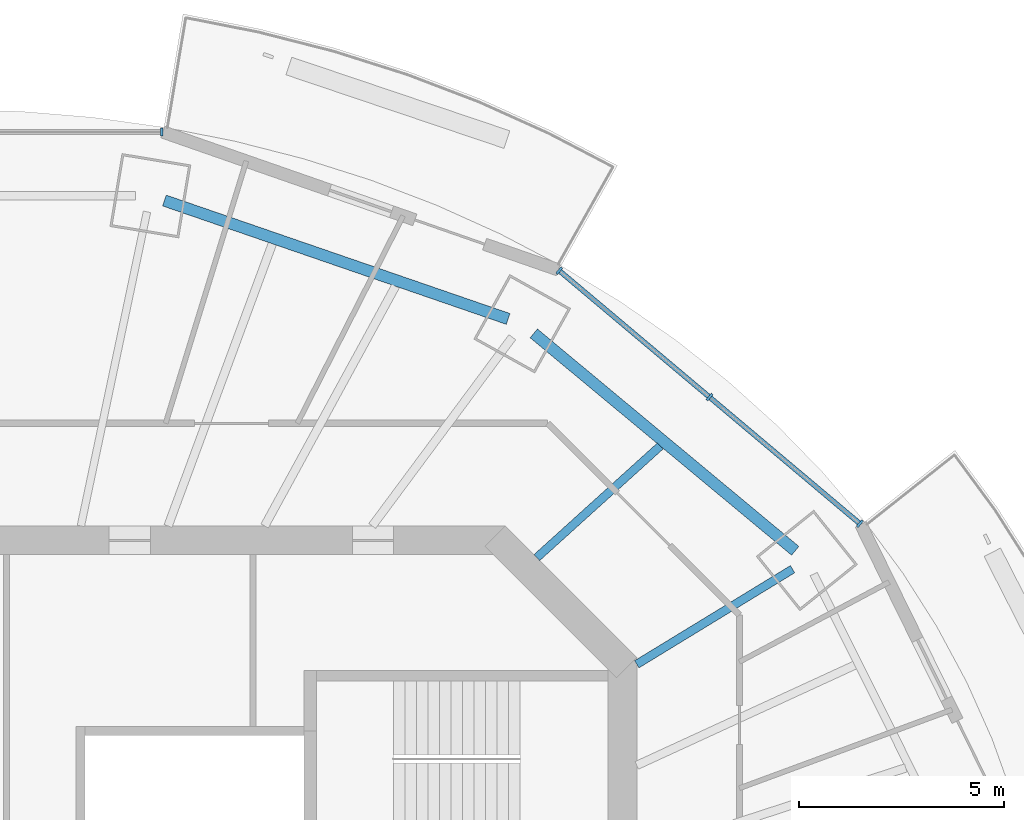
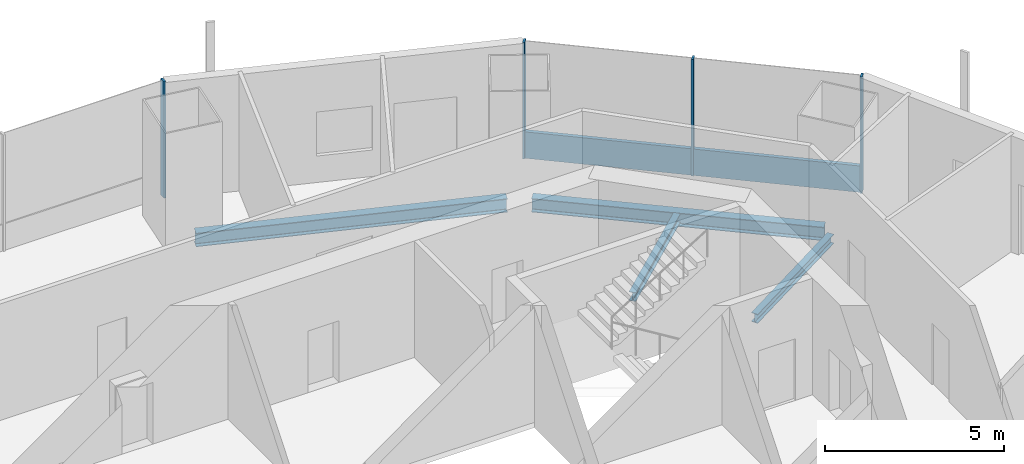
# One storey, part 6 of 16: 5 members, 4 beams, 2 elements without a shape of their own.
"""IFC4 building model written with IfcOpenShell, lengths in metres."""

from ifc_helpers import new_model, si_unit, direction, frame, origin, origin_2d, place, context, subcontext, project, spatial, rectangle, i_section, extrude, material, material_profile, profile_set, type_object, element, aggregate, save


model = new_model("IFC4")

# Units and contexts
model_context = context("Model", 3, precision=1e-05, world=origin(), true_north=direction((0.0, 1.0)))
body_context = subcontext(model_context, "Body", "Model", "MODEL_VIEW")
ifc_project = project(units=[si_unit("LENGTHUNIT", "METRE"), si_unit("AREAUNIT", "SQUARE_METRE"), si_unit("VOLUMEUNIT", "CUBIC_METRE"), si_unit("PLANEANGLEUNIT", "RADIAN"), si_unit("MASSUNIT", "GRAM", prefix="KILO")], contexts=[model_context])

# Site, building, storey
site_placement = place(None, origin())
site = spatial("IfcSite", under=ifc_project, at=site_placement, CompositionType="ELEMENT")
building_placement = place(site_placement, origin())
building = spatial("IfcBuilding", under=site, at=building_placement, Name="Marenthal Gate Tower", CompositionType="ELEMENT")
storey_placement = place(building_placement, frame((0.0, 0.0, 355.050048828125)))
storey = spatial("IfcBuildingStorey", under=building, at=storey_placement, Name="L80", CompositionType="ELEMENT", Elevation=355.050048828125)

# Curtain wall, members
ifc_material_1 = material(Name="Aluminium and glass", Category="aluminium")
curtain_wall_type = type_object("IfcCurtainWallType", Name="Curtain wall typical high", PredefinedType="NOTDEFINED", material=ifc_material_1)
curtain_wall_1_placement = place(storey_placement, origin())
curtain_wall_1 = element("IfcCurtainWall", 1, at=curtain_wall_1_placement, inside=storey, type_object=curtain_wall_type, Name="Curtain wall L80 bay 2", PredefinedType="NOTDEFINED")
ifc_material_2 = material(Name="Aluminium", Category="aluminium")
ifc_material_profile_1 = material_profile(ifc_material_2, rectangle(XDim=0.199951171875, YDim=0.06005859375, at=origin_2d()), Name="60x200 aluminium mullion")
ifc_profile_set_1 = profile_set([ifc_material_profile_1], Name="Aluminium")
member_type_1 = type_object("IfcMemberType", Name="Mullion 60x200 typical high", PredefinedType="MULLION", material=ifc_profile_set_1)
member_1_placement = place(storey_placement, frame((21.783203125, 13.40625, 0.0), z_axis=(0.0, 0.0, 1.0), x_axis=(-0.643895579249, -0.765113379195, 0.0)))
member_1 = element("IfcMember", 2, at=member_1_placement, type_object=member_type_1, Name="Mullion L80 bay 2.1", PredefinedType="MULLION", context=body_context, shape_type="SweptSolid", body=[
    extrude(rectangle(XDim=0.199951171875, YDim=0.06005859375, at=origin_2d()), origin(), (0.0, 0.0, 1.0), 3.969970703125),
])
member_2_placement = place(storey_placement, frame((18.121826171875, 16.487548828125, 0.0), z_axis=(0.0, 0.0, 1.0), x_axis=(-0.643895579249, -0.765113379195, 0.0)))
member_2 = element("IfcMember", 3, at=member_2_placement, type_object=member_type_1, Name="Mullion L80 bay 2.2", PredefinedType="MULLION", context=body_context, shape_type="SweptSolid", body=[
    extrude(rectangle(XDim=0.199951171875, YDim=0.06005859375, at=origin_2d()), origin(), (0.0, 0.0, 1.0), 3.969970703125),
])
member_3_placement = place(storey_placement, frame((14.46044921875, 19.56884765625, 0.0), z_axis=(0.0, 0.0, 1.0), x_axis=(-0.643895579249, -0.765113379195, 0.0)))
member_3 = element("IfcMember", 4, at=member_3_placement, type_object=member_type_1, Name="Mullion L80 bay 2.3", PredefinedType="MULLION", context=body_context, shape_type="SweptSolid", body=[
    extrude(rectangle(XDim=0.199951171875, YDim=0.06005859375, at=origin_2d()), origin(), (0.0, 0.0, 1.0), 3.969970703125),
])

# Curtain wall, member
curtain_wall_2_placement = place(storey_placement, origin())
curtain_wall_2 = element("IfcCurtainWall", 5, at=curtain_wall_2_placement, inside=storey, type_object=curtain_wall_type, Name="Curtain wall L80 bay 4", PredefinedType="NOTDEFINED")
member_4_placement = place(storey_placement, frame((4.7802734375, 22.944091796875, 0.0), z_axis=(0.0, 0.0, 1.0), x_axis=(0.0, -1.0, 0.0)))
member_4 = element("IfcMember", 6, at=member_4_placement, type_object=member_type_1, Name="Mullion L80 bay 4.1", PredefinedType="MULLION", context=body_context, shape_type="SweptSolid", body=[
    extrude(rectangle(XDim=0.199951171875, YDim=0.06005859375, at=origin_2d()), origin(), (0.0, 0.0, 1.0), 3.969970703125),
])
aggregate(curtain_wall_2, [member_4])

# Member
ifc_material_3 = material(Name="Aluminium", Category="aluminium")
ifc_material_profile_2 = material_profile(ifc_material_3, rectangle(XDim=0.1201171875, YDim=0.89990234375, at=origin_2d()), Name="120x900 aluminium transom")
ifc_profile_set_2 = profile_set([ifc_material_profile_2], Name="Aluminium")
member_type_2 = type_object("IfcMemberType", Name="Transom 120x900 typical high", PredefinedType="USERDEFINED", material=ifc_profile_set_2)
member_5_placement = place(storey_placement, frame((21.76025390625, 13.425537109375, 0.449951171875), z_axis=(-0.765110860749, 0.643898571798, 0.0), x_axis=(-0.643898571798, -0.765110860749, 0.0)))
member_5 = element("IfcMember", 7, at=member_5_placement, type_object=member_type_2, Name="Transom L80 bay 2", ObjectType="TRANSOM", PredefinedType="USERDEFINED", context=body_context, shape_type="SweptSolid", body=[
    extrude(rectangle(XDim=0.1201171875, YDim=0.89990234375, at=origin_2d()), origin(), (0.0, 0.0, 1.0), 9.5107421875),
])

aggregate(curtain_wall_1, [member_1, member_2, member_3, member_5])

# Beams
ifc_material_4 = material(Name="Steel S355", Category="steel")
ifc_material_profile_3 = material_profile(ifc_material_4, i_section(OverallWidth=0.202880859375, OverallDepth=0.302001953125, WebThickness=0.007568359375, FlangeThickness=0.01318359375, FilletRadius=0.0126953125, at=origin_2d()), Name="W310X60")
ifc_profile_set_3 = profile_set([ifc_material_profile_3], Name="Steel S355")
beam_type_1 = type_object("IfcBeamType", Name="W310X60 beam", PredefinedType="BEAM", material=ifc_profile_set_3)
beam_1_placement = place(storey_placement, frame((16.92138671875, 15.29736328125, -0.3310546875), z_axis=(-0.74178549283, -0.670637221326, 0.0), x_axis=(0.670637221326, -0.74178549283, 0.0)))
element("IfcBeam", 8, at=beam_1_placement, inside=storey, type_object=beam_type_1, Name="BM-L80-19", PredefinedType="BEAM", context=body_context, shape_type="SweptSolid", body=[
    extrude(i_section(OverallWidth=0.202880859375, OverallDepth=0.302001953125, WebThickness=0.007568359375, FlangeThickness=0.01318359375, FilletRadius=0.0126953125, at=origin_2d()), origin(), (0.0, 0.0, 1.0), 4.052490234375),
])
ifc_material_5 = material(Name="Steel S355", Category="steel")
ifc_material_profile_4 = material_profile(ifc_material_5, i_section(OverallWidth=0.205078125, OverallDepth=0.31005859375, WebThickness=0.009521484375, FlangeThickness=0.016357421875, FilletRadius=0.0126953125, at=origin_2d()), Name="W310X74")
ifc_profile_set_4 = profile_set([ifc_material_profile_4], Name="Steel S355")
beam_type_2 = type_object("IfcBeamType", Name="W310X74 beam", PredefinedType="BEAM", material=ifc_profile_set_4)
beam_2_placement = place(storey_placement, frame((20.14453125, 12.296875, -0.3349609375), z_axis=(-0.853547801009, -0.521014540482, 0.0), x_axis=(0.521014540482, -0.853547801009, 0.0)))
element("IfcBeam", 9, at=beam_2_placement, inside=storey, type_object=beam_type_2, Name="BM-L80-02", PredefinedType="BEAM", context=body_context, shape_type="SweptSolid", body=[
    extrude(i_section(OverallWidth=0.205078125, OverallDepth=0.31005859375, WebThickness=0.009521484375, FlangeThickness=0.016357421875, FilletRadius=0.0126953125, at=origin_2d()), origin(), (0.0, 0.0, 1.0), 4.445556640625),
])
ifc_material_6 = material(Name="Steel S355", Category="steel")
ifc_material_profile_5 = material_profile(ifc_material_6, i_section(OverallWidth=0.279052734375, OverallDepth=0.4619140625, WebThickness=0.0107421875, FlangeThickness=0.017333984375, FilletRadius=0.010009765625, at=origin_2d()), Name="W460X113")
ifc_profile_set_5 = profile_set([ifc_material_profile_5], Name="Steel S355")
beam_type_3 = type_object("IfcBeamType", Name="W460X113 beam", PredefinedType="BEAM", material=ifc_profile_set_5)
beam_3_placement = place(storey_placement, frame((20.209716796875, 12.744140625, -0.4111328125), z_axis=(-0.768858647444, 0.639418783155, 0.0), x_axis=(-0.639418783155, -0.768858647444, 0.0)))
element("IfcBeam", 10, at=beam_3_placement, inside=storey, type_object=beam_type_3, Name="BM-L80-41", PredefinedType="BEAM", context=body_context, shape_type="SweptSolid", body=[
    extrude(i_section(OverallWidth=0.279052734375, OverallDepth=0.4619140625, WebThickness=0.0107421875, FlangeThickness=0.017333984375, FilletRadius=0.010009765625, at=origin_2d()), origin(), (0.0, 0.0, 1.0), 8.283935546875),
])
beam_4_placement = place(storey_placement, frame((13.21630859375, 18.392578125, -0.4111328125), z_axis=(-0.945470510661, 0.325707711715, 0.0), x_axis=(-0.325707711715, -0.945470510661, 0.0)))
element("IfcBeam", 11, at=beam_4_placement, inside=storey, type_object=beam_type_3, Name="BM-L80-42", PredefinedType="BEAM", context=body_context, shape_type="SweptSolid", body=[
    extrude(i_section(OverallWidth=0.279052734375, OverallDepth=0.4619140625, WebThickness=0.0107421875, FlangeThickness=0.017333984375, FilletRadius=0.010009765625, at=origin_2d()), origin(), (0.0, 0.0, 1.0), 8.854736328125),
])

save(model, "model.ifc")
